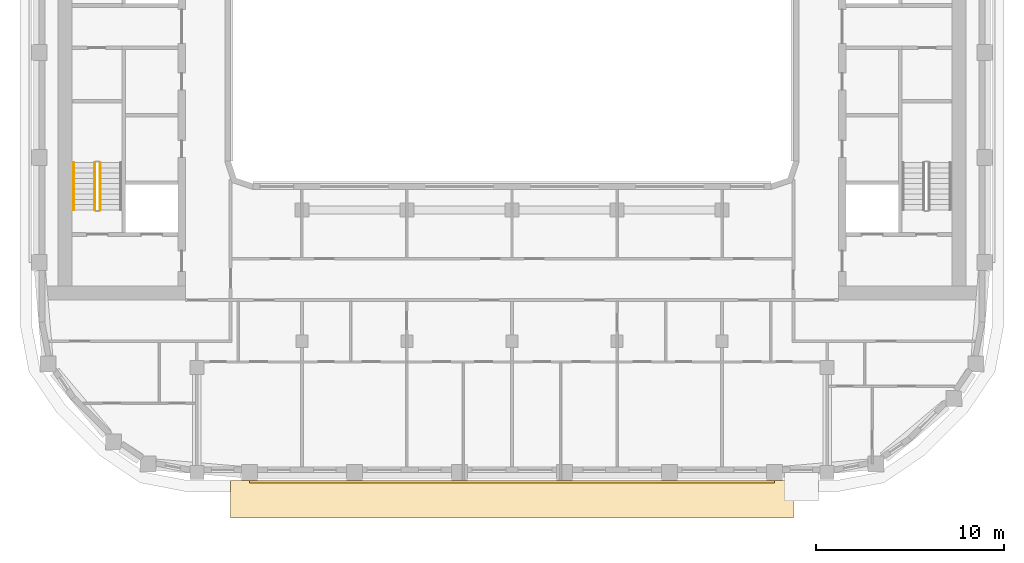
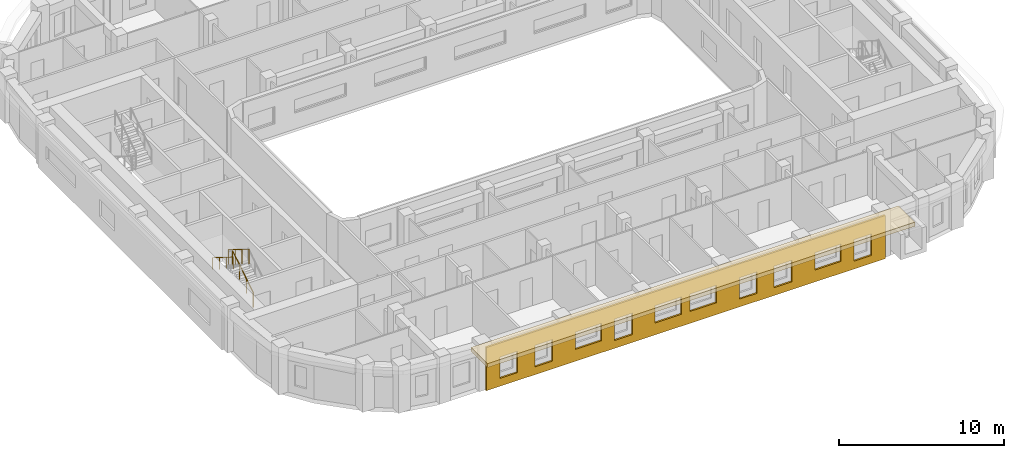
# One storey, part 11 of 21: 3 railings, 2 coverings.
"""IFC4 building model written with IfcOpenShell, lengths in metres."""

from ifc_helpers import new_model, si_unit, direction, frame, origin, origin_2d, place, context, subcontext, project, spatial, polyline, circle, outline, extrude, material, layer, layer_set, type_object, element, save


model = new_model("IFC4")

# Units and contexts
model_context = context("Model", 3, precision=1e-05, world=origin(), true_north=direction((0.0, 1.0)))
body_context = subcontext(model_context, "Body", "Model", "MODEL_VIEW")
ifc_project = project(units=[si_unit("LENGTHUNIT", "METRE"), si_unit("AREAUNIT", "SQUARE_METRE"), si_unit("VOLUMEUNIT", "CUBIC_METRE"), si_unit("PLANEANGLEUNIT", "RADIAN"), si_unit("MASSUNIT", "GRAM", prefix="KILO")], contexts=[model_context])

# Site, building, storey
site_placement = place(None, origin())
site = spatial("IfcSite", under=ifc_project, at=site_placement, CompositionType="ELEMENT")
building_placement = place(site_placement, origin())
building = spatial("IfcBuilding", under=site, at=building_placement, Name="Kiln Ring Residences", CompositionType="ELEMENT")
storey_placement = place(building_placement, frame((0.0, 0.0, 216.89990234375)))
storey = spatial("IfcBuildingStorey", under=building, at=storey_placement, Name="L56", CompositionType="ELEMENT", Elevation=216.89990234375)

# Railings
ifc_material_1 = material(Name="Stainless steel", Category="steel")
railing_type_1 = type_object("IfcRailingType", Name="CORE-STAIR-GUARD", PredefinedType="GUARDRAIL", material=ifc_material_1)
railing_1_placement = place(storey_placement, frame((-21.949951171875, -8.39990234375, 0.175048828125)))
element("IfcRailing", 1, at=railing_1_placement, inside=storey, type_object=railing_type_1, Name="L56 W-STS stair guard 1", PredefinedType="GUARDRAIL", context=body_context, shape_type="SweptSolid", body=[
    extrude(circle(Radius=0.02392578125, at=origin_2d()), frame((0.0, 0.0, 1.076171875), z_axis=(0.0, 0.848007534815, 0.529984170421), x_axis=(-1.0, 0.0, 0.0)), (0.0, 0.0, 1.0), 2.9716796875),
    extrude(circle(Radius=0.02099609375, at=origin_2d()), origin(), (0.0, 0.0, 1.0), 1.052001953125),
    extrude(circle(Radius=0.02099609375, at=origin_2d()), frame((0.0, 0.840087890625, 0.52490234375)), (0.0, 0.0, 1.0), 1.052001953125),
    extrude(circle(Radius=0.02099609375, at=origin_2d()), frame((0.0, 1.679931640625, 1.050048828125)), (0.0, 0.0, 1.0), 1.052001953125),
    extrude(circle(Radius=0.02099609375, at=origin_2d()), frame((0.0, 2.52001953125, 1.574951171875)), (0.0, 0.0, 1.0), 1.052001953125),
])
railing_2_placement = place(storey_placement, frame((-22.25, -5.8798828125, 1.925048828125)))
element("IfcRailing", 2, at=railing_2_placement, inside=storey, type_object=railing_type_1, Name="L56 W-STS stair guard 3", PredefinedType="GUARDRAIL", context=body_context, shape_type="SweptSolid", body=[
    extrude(circle(Radius=0.02392578125, at=origin_2d()), frame((0.0, 0.0, 1.076171875), z_axis=(0.0, -0.848007534815, 0.529984170421), x_axis=(1.0, 0.0, 0.0)), (0.0, 0.0, 1.0), 2.9716796875),
    extrude(circle(Radius=0.02099609375, at=origin_2d()), origin(), (0.0, 0.0, 1.0), 1.052001953125),
    extrude(circle(Radius=0.02099609375, at=origin_2d()), frame((0.0, -0.840087890625, 0.52490234375)), (0.0, 0.0, 1.0), 1.052001953125),
    extrude(circle(Radius=0.02099609375, at=origin_2d()), frame((0.0, -1.679931640625, 1.050048828125)), (0.0, 0.0, 1.0), 1.052001953125),
    extrude(circle(Radius=0.02099609375, at=origin_2d()), frame((0.0, -2.52001953125, 1.574951171875)), (0.0, 0.0, 1.0), 1.052001953125),
])
ifc_material_2 = material(Name="Stainless steel", Category="steel")
railing_type_2 = type_object("IfcRailingType", Name="CORE-STAIR-HANDRAIL", PredefinedType="HANDRAIL", material=ifc_material_2)
railing_3_placement = place(storey_placement, frame((-23.35009765625, -5.8798828125, 1.925048828125)))
element("IfcRailing", 3, at=railing_3_placement, inside=storey, type_object=railing_type_2, Name="L56 W-STS stair handrail 2", PredefinedType="HANDRAIL", context=body_context, shape_type="SweptSolid", body=[
    extrude(circle(Radius=0.02392578125, at=origin_2d()), frame((0.0, 0.0, 0.8759765625), z_axis=(0.0, -0.848007534815, 0.529984170421), x_axis=(1.0, 0.0, 0.0)), (0.0, 0.0, 1.0), 2.9716796875),
    extrude(circle(Radius=0.02099609375, at=origin_2d()), origin(), (0.0, 0.0, 1.0), 0.851806640625),
    extrude(circle(Radius=0.02099609375, at=origin_2d()), frame((0.0, -0.840087890625, 0.52490234375)), (0.0, 0.0, 1.0), 0.851806640625),
    extrude(circle(Radius=0.02099609375, at=origin_2d()), frame((0.0, -1.679931640625, 1.050048828125)), (0.0, 0.0, 1.0), 0.851806640625),
    extrude(circle(Radius=0.02099609375, at=origin_2d()), frame((0.0, -2.52001953125, 1.574951171875)), (0.0, 0.0, 1.0), 0.851806640625),
])

# Coverings
ifc_material_3 = material(Name="Brick masonry, dark clay brick", Category="masonry")
ifc_layer_1 = layer(ifc_material_3, 0.1201171875)
ifc_layer_set_1 = layer_set([ifc_layer_1], Name="RAINSCREEN PANEL 120")
covering_type_1 = type_object("IfcCoveringType", Name="RAINSCREEN PANEL 120", PredefinedType="CLADDING", material=ifc_layer_set_1)
covering_1_placement = place(storey_placement, frame((-14.0, -22.885009765625, 0.0), z_axis=(0.0, 0.0, 1.0), x_axis=(1.0, 0.0, 0.0)))
element("IfcCovering", 4, at=covering_1_placement, inside=storey, type_object=covering_type_1, Name="RAINSCREEN L56", PredefinedType="CLADDING", context=body_context, shape_type="SweptSolid", body=[
    extrude(outline(polyline([(0.0, 0.0), (28.0, 0.0), (28.0, 3.2001953125), (0.0, 3.2001953125), (0.0, 0.0)]), holes=[polyline([(0.955078125, 0.580078125), (2.195068359375, 0.580078125), (2.195068359375, 2.170166015625), (0.955078125, 2.170166015625), (0.955078125, 0.580078125)]), polyline([(3.405029296875, 0.580078125), (4.64501953125, 0.580078125), (4.64501953125, 2.170166015625), (3.405029296875, 2.170166015625), (3.405029296875, 0.580078125)]), polyline([(9.0048828125, 0.580078125), (10.2451171875, 0.580078125), (10.2451171875, 2.170166015625), (9.0048828125, 2.170166015625), (9.0048828125, 0.580078125)]), polyline([(17.7548828125, 2.170166015625), (17.7548828125, 0.580078125), (18.9951171875, 0.580078125), (18.9951171875, 2.170166015625), (17.7548828125, 2.170166015625)]), polyline([(20.205078125, 2.170166015625), (20.205078125, 0.580078125), (21.445068359375, 0.580078125), (21.445068359375, 2.170166015625), (20.205078125, 2.170166015625)]), polyline([(25.804931640625, 0.580078125), (27.044921875, 0.580078125), (27.044921875, 2.170166015625), (25.804931640625, 2.170166015625), (25.804931640625, 0.580078125)]), polyline([(6.2548828125, 0.880126953125), (8.094970703125, 0.880126953125), (8.094970703125, 2.170166015625), (6.2548828125, 2.170166015625), (6.2548828125, 0.880126953125)]), polyline([(11.85498046875, 0.880126953125), (13.695068359375, 0.880126953125), (13.695068359375, 2.170166015625), (11.85498046875, 2.170166015625), (11.85498046875, 0.880126953125)]), polyline([(14.304931640625, 2.170166015625), (14.304931640625, 0.880126953125), (16.14501953125, 0.880126953125), (16.14501953125, 2.170166015625), (14.304931640625, 2.170166015625)]), polyline([(23.054931640625, 2.170166015625), (23.054931640625, 0.880126953125), (24.89501953125, 0.880126953125), (24.89501953125, 2.170166015625), (23.054931640625, 2.170166015625)])]), frame((0.0, 0.06005859375, 0.0), z_axis=(0.0, -1.0, 0.0), x_axis=(1.0, 0.0, 0.0)), (0.0, 0.0, 1.0), 0.1201171875),
])
ifc_material_4 = material(Name="Black powder-coated steel", Category="steel")
ifc_layer_2 = layer(ifc_material_4, 0.300048828125)
ifc_layer_set_2 = layer_set([ifc_layer_2], Name="SUNSHADE BAND 2000")
covering_type_2 = type_object("IfcCoveringType", Name="SUNSHADE BAND 2000", PredefinedType="CLADDING", material=ifc_layer_set_2)
covering_2_placement = place(storey_placement, frame((0.0, 0.0, 3.2001953125)))
element("IfcCovering", 5, at=covering_2_placement, inside=storey, type_object=covering_type_2, Name="SUNSHADE BAND L56", PredefinedType="CLADDING", context=body_context, shape_type="SweptSolid", body=[
    extrude(outline(polyline([(-15.0, -24.824951171875), (15.0, -24.824951171875), (15.0, -22.824951171875), (-15.0, -22.824951171875), (-15.0, -24.824951171875)])), origin(), (0.0, 0.0, 1.0), 0.2998046875),
])

save(model, "model.ifc")
